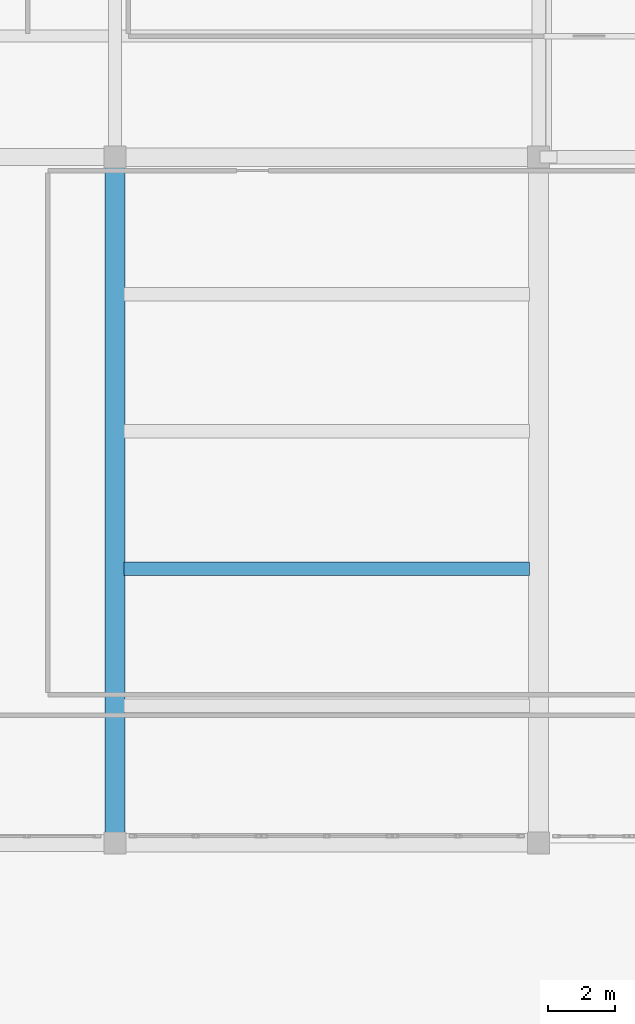
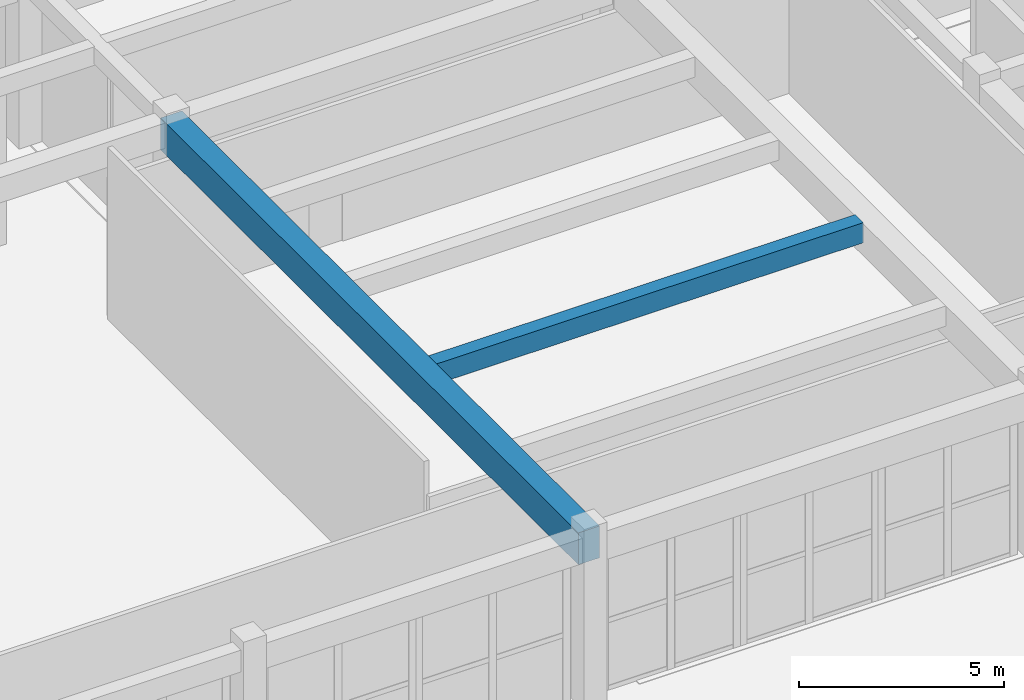
# One storey, part 28 of 98: 2 beams.
"""IFC4 building model written with IfcOpenShell, lengths in metres."""

from ifc_helpers import new_model, si_unit, direction, frame, origin, origin_2d, place, context, subcontext, project, spatial, rectangle, extrude, material, material_profile, profile_set, type_object, element, save


model = new_model("IFC4")

# Units and contexts
model_context = context("Model", 3, precision=1e-05, world=origin(), true_north=direction((0.0, 1.0)))
body_context = subcontext(model_context, "Body", "Model", "MODEL_VIEW")
ifc_project = project(units=[si_unit("LENGTHUNIT", "METRE"), si_unit("AREAUNIT", "SQUARE_METRE"), si_unit("VOLUMEUNIT", "CUBIC_METRE"), si_unit("PLANEANGLEUNIT", "RADIAN"), si_unit("MASSUNIT", "GRAM", prefix="KILO")], contexts=[model_context])

# Site, building, storey
site_placement = place(None, origin())
site = spatial("IfcSite", under=ifc_project, at=site_placement, CompositionType="ELEMENT")
building_placement = place(site_placement, origin())
building = spatial("IfcBuilding", under=site, at=building_placement, Name="Tarnavel Promenade Courthouse", CompositionType="ELEMENT")
storey_placement = place(building_placement, origin())
storey = spatial("IfcBuildingStorey", under=building, at=storey_placement, Name="L01", CompositionType="ELEMENT", Elevation=0.0)

# Beams
ifc_material = material(Name="Concrete C40/50", Category="concrete")
ifc_material_profile_1 = material_profile(ifc_material, rectangle(XDim=0.39990234375, YDim=0.60009765625, at=origin_2d()), Name="PT 400x600")
ifc_profile_set_1 = profile_set([ifc_material_profile_1], Name="Concrete C40/50")
beam_type_1 = type_object("IfcBeamType", Name="Concrete C40/50 BM-PT-400x600 (PT 400x600)", PredefinedType="JOIST", material=ifc_profile_set_1)
beam_1_placement = place(storey_placement, frame((102.27001953125, 54.9599609375, 4.794921875), z_axis=(1.0, 0.0, 0.0), x_axis=(0.0, 1.0, 0.0)))
element("IfcBeam", 1, at=beam_1_placement, inside=storey, type_object=beam_type_1, Name="L01 Secondary Floor Rib 0997", PredefinedType="JOIST", context=body_context, shape_type="SweptSolid", body=[
    extrude(rectangle(XDim=0.39990234375, YDim=0.60009765625, at=origin_2d()), origin(), (0.0, 0.0, 1.0), 12.06005859375),
])
ifc_material_profile_2 = material_profile(ifc_material, rectangle(XDim=0.60009765625, YDim=0.949951171875, at=origin_2d()), Name="PT 600x950")
ifc_profile_set_2 = profile_set([ifc_material_profile_2], Name="Concrete C40/50")
beam_type_2 = type_object("IfcBeamType", Name="Concrete C40/50 BM-PT-600x950 (PT 600x950)", PredefinedType="T_BEAM", material=ifc_profile_set_2)
beam_2_placement = place(storey_placement, frame((102.0, 46.800048828125, 4.6201171875), z_axis=(0.0, 1.0, 0.0), x_axis=(-1.0, 0.0, 0.0)))
element("IfcBeam", 2, at=beam_2_placement, inside=storey, type_object=beam_type_2, Name="L01 Transverse Girder 0821", PredefinedType="T_BEAM", context=body_context, shape_type="SweptSolid", body=[
    extrude(rectangle(XDim=0.60009765625, YDim=0.949951171875, at=origin_2d()), origin(), (0.0, 0.0, 1.0), 20.39990234375),
])

save(model, "model.ifc")
